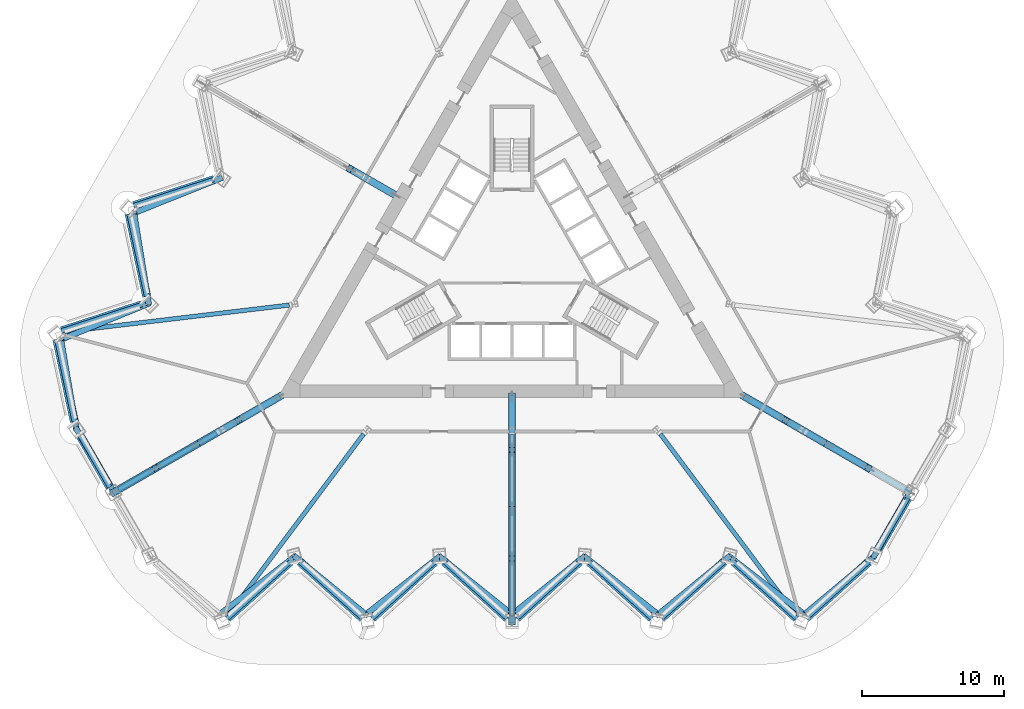
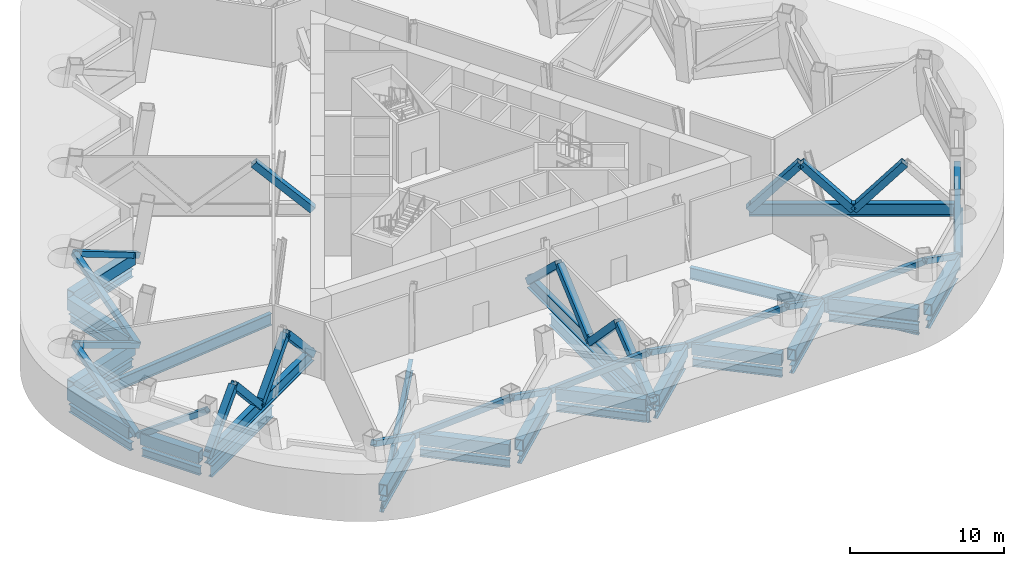
# One storey, part 2 of 13: 45 members, 20 beams.
"""IFC4 building model written with IfcOpenShell, lengths in metres."""

from ifc_helpers import new_model, si_unit, direction, frame, origin, origin_2d, place, context, subcontext, project, spatial, hollow_rectangle, i_section, extrude, material, material_profile, profile_set, type_object, element, save


model = new_model("IFC4")

# Units and contexts
model_context = context("Model", 3, precision=1e-05, world=origin(), true_north=direction((0.0, 1.0)))
body_context = subcontext(model_context, "Body", "Model", "MODEL_VIEW")
ifc_project = project(units=[si_unit("LENGTHUNIT", "METRE"), si_unit("AREAUNIT", "SQUARE_METRE"), si_unit("VOLUMEUNIT", "CUBIC_METRE"), si_unit("PLANEANGLEUNIT", "RADIAN"), si_unit("MASSUNIT", "GRAM", prefix="KILO")], contexts=[model_context])

# Site, building, storey
site_placement = place(None, origin())
site = spatial("IfcSite", under=ifc_project, at=site_placement, CompositionType="ELEMENT")
building_placement = place(site_placement, origin())
building = spatial("IfcBuilding", under=site, at=building_placement, Name="Cormorant Prow Tower", CompositionType="ELEMENT")
storey_placement = place(building_placement, frame((0.0, 0.0, 164.199951171875)))
storey = spatial("IfcBuildingStorey", under=building, at=storey_placement, Name="L34", CompositionType="ELEMENT", Elevation=164.199951171875)

# Members
ifc_material_1 = material(Name="Structural steel ASTM A572 Gr 50", Category="steel")
ifc_material_profile_1 = material_profile(ifc_material_1, hollow_rectangle(XDim=0.60009765625, YDim=0.89990234375, WallThickness=0.06005859375, at=origin_2d()), Name="Box 900x600x60")
ifc_profile_set_1 = profile_set([ifc_material_profile_1], Name="Structural steel ASTM A572 Gr 50")
member_type_1 = type_object("IfcMemberType", Name="Belt truss bottom chord 900x600x60", PredefinedType="CHORD", material=ifc_profile_set_1)
for number, where, z_axis, x_axis, name in (
    (1, (-20.0654296875, -25.09814453125, 0.449951171875), (0.743131253571, 0.66914567918, 0.0), (-0.66914567918, 0.743131253571, 0.0), "Belt truss bottom chord S01-S02 L34"),
    (2, (-14.96533203125, -21.108154296875, 0.449951171875), (0.743131253571, -0.66914567918, 0.0), (0.66914567918, 0.743131253571, 0.0), "Belt truss bottom chord S02-S03 L34"),
    (3, (-9.865478515625, -25.09814453125, 0.449951171875), (0.743131253571, 0.66914567918, 0.0), (-0.66914567918, 0.743131253571, 0.0), "Belt truss bottom chord S03-S04 L34"),
    (4, (-4.765625, -21.108154296875, 0.449951171875), (0.743131253571, -0.66914567918, 0.0), (0.66914567918, 0.743131253571, 0.0), "Belt truss bottom chord S04-S05 L34"),
    (5, (0.33447265625, -25.09814453125, 0.449951171875), (0.743131253571, 0.66914567918, 0.0), (-0.66914567918, 0.743131253571, 0.0), "Belt truss bottom chord S05-S06 L34"),
    (6, (5.434326171875, -21.108154296875, 0.449951171875), (0.743131253571, -0.66914567918, 0.0), (0.66914567918, 0.743131253571, 0.0), "Belt truss bottom chord S06-S07 L34"),
    (7, (10.5341796875, -25.09814453125, 0.449951171875), (0.743131253571, 0.66914567918, 0.0), (-0.66914567918, 0.743131253571, 0.0), "Belt truss bottom chord S07-S08 L34"),
    (8, (15.63427734375, -21.108154296875, 0.449951171875), (0.743131253571, -0.66914567918, 0.0), (0.66914567918, 0.743131253571, 0.0), "Belt truss bottom chord S08-S09 L34"),
    (9, (20.734130859375, -25.09814453125, 0.449951171875), (0.743131253571, 0.66914567918, 0.0), (-0.66914567918, 0.743131253571, 0.0), "Belt truss bottom chord S09-ESE00 L34"),
):
    element("IfcMember", number, at=place(storey_placement, frame(where, z_axis=z_axis, x_axis=x_axis)), inside=storey, type_object=member_type_1, Name=name, PredefinedType="CHORD", context=body_context, shape_type="SweptSolid", body=[
        extrude(hollow_rectangle(XDim=0.60009765625, YDim=0.89990234375, WallThickness=0.06005859375, at=origin_2d()), origin(), (0.0, 0.0, 1.0), 5.962890625),
    ])
member_1_placement = place(storey_placement, frame((25.724609375, -20.41748046875, 0.449951171875), z_axis=(0.500002967982, 0.866023690213, 0.0), x_axis=(-0.866023690213, 0.500002967982, 0.0)))
element("IfcMember", 10, at=member_1_placement, inside=storey, type_object=member_type_1, Name="Belt truss bottom chord ESE00-ESE01 L34", PredefinedType="CHORD", context=body_context, shape_type="SweptSolid", body=[
    extrude(hollow_rectangle(XDim=0.60009765625, YDim=0.89990234375, WallThickness=0.06005859375, at=origin_2d()), origin(), (0.0, 0.0, 1.0), 4.36962890625),
])
member_2_placement = place(storey_placement, frame((-20.99755859375, 5.847900390625, 0.449951171875), z_axis=(-0.951055430656, -0.309020335608, 0.0), x_axis=(0.309020335608, -0.951055430656, 0.0)))
element("IfcMember", 11, at=member_2_placement, inside=storey, type_object=member_type_1, Name="Belt truss bottom chord WNW06-WNW07 L34", PredefinedType="CHORD", context=body_context, shape_type="SweptSolid", body=[
    extrude(hollow_rectangle(XDim=0.60009765625, YDim=0.89990234375, WallThickness=0.06005859375, at=origin_2d()), origin(), (0.0, 0.0, 1.0), 5.96240234375),
])
for number, where, z_axis, x_axis, name in (
    (12, (-27.002685546875, 3.426025390625, 0.449951171875), (0.207920947907, -0.978145633033, 0.0), (0.978145633033, 0.207920947907, 0.0), "Belt truss bottom chord WNW07-WNW08 L34"),
    (13, (-26.097412109375, -2.985595703125, 0.449951171875), (-0.951059340519, -0.309008302174, 0.0), (0.309008302174, -0.951059340519, 0.0), "Belt truss bottom chord WNW08-WNW09 L34"),
):
    element("IfcMember", number, at=place(storey_placement, frame(where, z_axis=z_axis, x_axis=x_axis)), inside=storey, type_object=member_type_1, Name=name, PredefinedType="CHORD", context=body_context, shape_type="SweptSolid", body=[
        extrude(hollow_rectangle(XDim=0.60009765625, YDim=0.89990234375, WallThickness=0.06005859375, at=origin_2d()), origin(), (0.0, 0.0, 1.0), 5.962646484375),
    ])
member_3_placement = place(storey_placement, frame((-32.1025390625, -5.4072265625, 0.449951171875), z_axis=(0.207912620873, -0.978147403044, 0.0), x_axis=(0.978147403044, 0.207912620873, 0.0)))
element("IfcMember", 14, at=member_3_placement, inside=storey, type_object=member_type_1, Name="Belt truss bottom chord WNW09-WSW00 L34", PredefinedType="CHORD", context=body_context, shape_type="SweptSolid", body=[
    extrude(hollow_rectangle(XDim=0.60009765625, YDim=0.89990234375, WallThickness=0.06005859375, at=origin_2d()), origin(), (0.0, 0.0, 1.0), 5.962890625),
])
member_4_placement = place(storey_placement, frame((-30.54443359375, -12.069580078125, 0.449951171875), z_axis=(0.500002967982, -0.866023690213, 0.0), x_axis=(0.866023690213, 0.500002967982, 0.0)))
element("IfcMember", 15, at=member_4_placement, inside=storey, type_object=member_type_1, Name="Belt truss bottom chord WSW00-WSW01 L34", PredefinedType="CHORD", context=body_context, shape_type="SweptSolid", body=[
    extrude(hollow_rectangle(XDim=0.60009765625, YDim=0.89990234375, WallThickness=0.06005859375, at=origin_2d()), origin(), (0.0, 0.0, 1.0), 4.36962890625),
])
ifc_material_2 = material(Name="Structural steel ASTM A500 Gr C", Category="steel")
ifc_material_profile_2 = material_profile(ifc_material_2, hollow_rectangle(XDim=0.406494140625, YDim=0.406494140625, WallThickness=0.014892578125, at=origin_2d()), Name="HSS16x16x5/8")
ifc_profile_set_2 = profile_set([ifc_material_profile_2], Name="Structural steel ASTM A500 Gr C")
member_type_2 = type_object("IfcMemberType", Name="Belt truss diagonal HSS16x16x5/8", PredefinedType="BRACE", material=ifc_profile_set_2)
member_5_placement = place(storey_placement, frame((-15.3173828125, -20.740966796875, 0.449951171875), z_axis=(-0.690746440665, -0.532926995011, 0.488731186541), x_axis=(0.610850488309, -0.79174596995, 0.0)))
element("IfcMember", 16, at=member_5_placement, inside=storey, type_object=member_type_2, Name="Belt truss diagonal S01-S02 L34", PredefinedType="BRACE", context=body_context, shape_type="SweptSolid", body=[
    extrude(hollow_rectangle(XDim=0.406494140625, YDim=0.406494140625, WallThickness=0.014892578125, at=origin_2d()), origin(), (0.0, 0.0, 1.0), 7.6728515625),
])
member_6_placement = place(storey_placement, frame((-5.105712890625, -20.740966796875, 0.449951171875), z_axis=(-0.684037341224, -0.537606936707, 0.493023019154), x_axis=(0.617927454809, -0.786235117884, 0.0)))
element("IfcMember", 17, at=member_6_placement, inside=storey, type_object=member_type_2, Name="Belt truss diagonal S03-S04 L34", PredefinedType="BRACE", context=body_context, shape_type="SweptSolid", body=[
    extrude(hollow_rectangle(XDim=0.406494140625, YDim=0.406494140625, WallThickness=0.014892578125, at=origin_2d()), origin(), (0.0, 0.0, 1.0), 7.606201171875),
])
member_7_placement = place(storey_placement, frame((5.105712890625, -20.740966796875, 0.449951171875), z_axis=(-0.67715003888, -0.54232228763, 0.497347324497), x_axis=(0.625118250043, -0.780530059295, 0.0)))
element("IfcMember", 18, at=member_7_placement, inside=storey, type_object=member_type_2, Name="Belt truss diagonal S05-S06 L34", PredefinedType="BRACE", context=body_context, shape_type="SweptSolid", body=[
    extrude(hollow_rectangle(XDim=0.406494140625, YDim=0.406494140625, WallThickness=0.014892578125, at=origin_2d()), origin(), (0.0, 0.0, 1.0), 7.5400390625),
])
member_8_placement = place(storey_placement, frame((15.3173828125, -20.740966796875, 0.449951171875), z_axis=(-0.670098054079, -0.547059480784, 0.501691660687), x_axis=(0.632404696926, -0.774638173153, 0.0)))
element("IfcMember", 19, at=member_8_placement, inside=storey, type_object=member_type_2, Name="Belt truss diagonal S07-S08 L34", PredefinedType="BRACE", context=body_context, shape_type="SweptSolid", body=[
    extrude(hollow_rectangle(XDim=0.406494140625, YDim=0.406494140625, WallThickness=0.014892578125, at=origin_2d()), origin(), (0.0, 0.0, 1.0), 7.474609375),
])
member_9_placement = place(storey_placement, frame((25.52880859375, -20.740966796875, 0.449951171875), z_axis=(-0.662822889825, -0.551852690843, 0.506087368281), x_axis=(0.639842398585, -0.768506151552, 0.0)))
element("IfcMember", 20, at=member_9_placement, inside=storey, type_object=member_type_2, Name="Belt truss diagonal S09-ESE00 L34", PredefinedType="BRACE", context=body_context, shape_type="SweptSolid", body=[
    extrude(hollow_rectangle(XDim=0.406494140625, YDim=0.406494140625, WallThickness=0.014892578125, at=origin_2d()), origin(), (0.0, 0.0, 1.0), 7.40966796875),
])
member_10_placement = place(storey_placement, frame((-25.620849609375, -2.894775390625, 0.449951171875), z_axis=(-0.138719868641, 0.85384414555, 0.501704069303), x_axis=(-0.987058188962, -0.160362500613, 0.0)))
element("IfcMember", 21, at=member_10_placement, inside=storey, type_object=member_type_2, Name="Belt truss diagonal WNW07-WNW08 L34", PredefinedType="BRACE", context=body_context, shape_type="SweptSolid", body=[
    extrude(hollow_rectangle(XDim=0.406494140625, YDim=0.406494140625, WallThickness=0.014892578125, at=origin_2d()), origin(), (0.0, 0.0, 1.0), 7.474609375),
])
member_11_placement = place(storey_placement, frame((-30.7265625, -11.73828125, 0.449951171875), z_axis=(-0.14648622984, 0.849956201348, 0.50607928258), x_axis=(-0.985471362149, -0.169841674463, 0.0)))
element("IfcMember", 22, at=member_11_placement, inside=storey, type_object=member_type_2, Name="Belt truss diagonal WNW09-WSW00 L34", PredefinedType="BRACE", context=body_context, shape_type="SweptSolid", body=[
    extrude(hollow_rectangle(XDim=0.406494140625, YDim=0.406494140625, WallThickness=0.014892578125, at=origin_2d()), origin(), (0.0, 0.0, 1.0), 7.409912109375),
])
ifc_material_3 = material(Name="Structural steel ASTM A500 Gr C", Category="steel")
ifc_material_profile_3 = material_profile(ifc_material_3, hollow_rectangle(XDim=0.406494140625, YDim=0.406494140625, WallThickness=0.014892578125, at=origin_2d()), Name="HSS16x16x5/8")
ifc_profile_set_3 = profile_set([ifc_material_profile_3], Name="Structural steel ASTM A500 Gr C")
member_type_3 = type_object("IfcMemberType", Name="Belt truss strut HSS16x16x5/8", PredefinedType="STRUT", material=ifc_profile_set_3)
member_12_placement = place(storey_placement, frame((-15.3173828125, -20.740966796875, 0.449951171875), z_axis=(0.670098054079, -0.547059480784, 0.501691660687), x_axis=(0.632404696926, 0.774638173153, 0.0)))
element("IfcMember", 23, at=member_12_placement, inside=storey, type_object=member_type_3, Name="Belt truss strut S02-S03 L34", PredefinedType="STRUT", context=body_context, shape_type="SweptSolid", body=[
    extrude(hollow_rectangle(XDim=0.406494140625, YDim=0.406494140625, WallThickness=0.014892578125, at=origin_2d()), origin(), (0.0, 0.0, 1.0), 7.474609375),
])
member_13_placement = place(storey_placement, frame((-5.105712890625, -20.740966796875, 0.449951171875), z_axis=(0.67715003888, -0.54232228763, 0.497347324497), x_axis=(0.625118250043, 0.780530059295, 0.0)))
element("IfcMember", 24, at=member_13_placement, inside=storey, type_object=member_type_3, Name="Belt truss strut S04-S05 L34", PredefinedType="STRUT", context=body_context, shape_type="SweptSolid", body=[
    extrude(hollow_rectangle(XDim=0.406494140625, YDim=0.406494140625, WallThickness=0.014892578125, at=origin_2d()), origin(), (0.0, 0.0, 1.0), 7.5400390625),
])
member_14_placement = place(storey_placement, frame((5.105712890625, -20.740966796875, 0.449951171875), z_axis=(0.684037341224, -0.537606936707, 0.493023019154), x_axis=(0.617927454809, 0.786235117884, 0.0)))
element("IfcMember", 25, at=member_14_placement, inside=storey, type_object=member_type_3, Name="Belt truss strut S06-S07 L34", PredefinedType="STRUT", context=body_context, shape_type="SweptSolid", body=[
    extrude(hollow_rectangle(XDim=0.406494140625, YDim=0.406494140625, WallThickness=0.014892578125, at=origin_2d()), origin(), (0.0, 0.0, 1.0), 7.606201171875),
])
member_15_placement = place(storey_placement, frame((15.3173828125, -20.740966796875, 0.449951171875), z_axis=(0.690746440665, -0.532926995011, 0.488731186541), x_axis=(0.610850488309, 0.79174596995, 0.0)))
element("IfcMember", 26, at=member_15_placement, inside=storey, type_object=member_type_3, Name="Belt truss strut S08-S09 L34", PredefinedType="STRUT", context=body_context, shape_type="SweptSolid", body=[
    extrude(hollow_rectangle(XDim=0.406494140625, YDim=0.406494140625, WallThickness=0.014892578125, at=origin_2d()), origin(), (0.0, 0.0, 1.0), 7.6728515625),
])
member_16_placement = place(storey_placement, frame((25.52880859375, -20.740966796875, 0.449951171875), z_axis=(0.396591210918, 0.707404146098, 0.585059642691), x_axis=(-0.872272053279, 0.489020924981, 0.0)))
element("IfcMember", 27, at=member_16_placement, inside=storey, type_object=member_type_3, Name="Belt truss strut ESE00-ESE01 L34", PredefinedType="STRUT", context=body_context, shape_type="SweptSolid", body=[
    extrude(hollow_rectangle(XDim=0.406494140625, YDim=0.406494140625, WallThickness=0.014892578125, at=origin_2d()), origin(), (0.0, 0.0, 1.0), 6.40966796875),
])
member_17_placement = place(storey_placement, frame((-20.51513671875, 5.94873046875, 0.449951171875), z_axis=(-0.807588382557, -0.323613118956, 0.493026929892), x_axis=(0.371963095454, -0.92824751851, 0.0)))
element("IfcMember", 28, at=member_17_placement, inside=storey, type_object=member_type_3, Name="Belt truss strut WNW06-WNW07 L34", PredefinedType="STRUT", context=body_context, shape_type="SweptSolid", body=[
    extrude(hollow_rectangle(XDim=0.406494140625, YDim=0.406494140625, WallThickness=0.014892578125, at=origin_2d()), origin(), (0.0, 0.0, 1.0), 7.60595703125),
])
member_18_placement = place(storey_placement, frame((-25.620849609375, -2.894775390625, 0.449951171875), z_axis=(-0.806895712397, -0.33174394485, 0.488738441674), x_axis=(0.380252636196, -0.924882658863, 0.0)))
element("IfcMember", 29, at=member_18_placement, inside=storey, type_object=member_type_3, Name="Belt truss strut WNW08-WNW09 L34", PredefinedType="STRUT", context=body_context, shape_type="SweptSolid", body=[
    extrude(hollow_rectangle(XDim=0.406494140625, YDim=0.406494140625, WallThickness=0.014892578125, at=origin_2d()), origin(), (0.0, 0.0, 1.0), 7.6728515625),
])
member_19_placement = place(storey_placement, frame((-30.7265625, -11.73828125, 0.449951171875), z_axis=(0.41434053676, -0.697157091774, 0.585058893605), x_axis=(0.859636243358, 0.510906575712, 0.0)))
element("IfcMember", 30, at=member_19_placement, inside=storey, type_object=member_type_3, Name="Belt truss strut WSW00-WSW01 L34", PredefinedType="STRUT", context=body_context, shape_type="SweptSolid", body=[
    extrude(hollow_rectangle(XDim=0.406494140625, YDim=0.406494140625, WallThickness=0.014892578125, at=origin_2d()), origin(), (0.0, 0.0, 1.0), 6.40966796875),
])
ifc_material_4 = material(Name="Structural steel ASTM A992 Gr 50", Category="steel")
ifc_material_profile_4 = material_profile(ifc_material_4, i_section(OverallWidth=0.39990234375, OverallDepth=1.000244140625, WebThickness=0.01904296875, FlangeThickness=0.0361328125, at=origin_2d()), Name="W40x249")
ifc_profile_set_4 = profile_set([ifc_material_profile_4], Name="Structural steel ASTM A992 Gr 50")
member_type_4 = type_object("IfcMemberType", Name="Outrigger chord W40x249", PredefinedType="CHORD", material=ifc_profile_set_4)
member_20_placement = place(storey_placement, frame((-16.3701171875, -9.451171875, 0.500244140625), z_axis=(-0.866023671636, -0.500003000157, 0.0), x_axis=(0.500003000157, -0.866023671636, 0.0)))
element("IfcMember", 31, at=member_20_placement, inside=storey, type_object=member_type_4, Name="Outrigger bottom chord 3 L34", PredefinedType="CHORD", context=body_context, shape_type="SweptSolid", body=[
    extrude(i_section(OverallWidth=0.39990234375, OverallDepth=1.000244140625, WebThickness=0.01904296875, FlangeThickness=0.0361328125, at=origin_2d()), origin(), (0.0, 0.0, 1.0), 13.58447265625),
])
member_21_placement = place(storey_placement, frame((0.0, -9.376220703125, 0.500244140625), z_axis=(0.0, -1.0, 0.0), x_axis=(1.0, 0.0, 0.0)))
element("IfcMember", 32, at=member_21_placement, inside=storey, type_object=member_type_4, Name="Outrigger bottom chord 4 L34", PredefinedType="CHORD", context=body_context, shape_type="SweptSolid", body=[
    extrude(i_section(OverallWidth=0.39990234375, OverallDepth=1.000244140625, WebThickness=0.01904296875, FlangeThickness=0.0361328125, at=origin_2d()), origin(), (0.0, 0.0, 1.0), 16.02294921875),
])
member_22_placement = place(storey_placement, frame((16.3701171875, -9.451171875, 0.500244140625), z_axis=(0.866023671636, -0.500003000157, 0.0), x_axis=(0.500003000157, 0.866023671636, 0.0)))
element("IfcMember", 33, at=member_22_placement, inside=storey, type_object=member_type_4, Name="Outrigger bottom chord 5 L34", PredefinedType="CHORD", context=body_context, shape_type="SweptSolid", body=[
    extrude(i_section(OverallWidth=0.39990234375, OverallDepth=1.000244140625, WebThickness=0.01904296875, FlangeThickness=0.0361328125, at=origin_2d()), origin(), (0.0, 0.0, 1.0), 13.58447265625),
])
ifc_material_5 = material(Name="Structural steel ASTM A500 Gr C", Category="steel")
ifc_material_profile_5 = material_profile(ifc_material_5, hollow_rectangle(XDim=0.508056640625, YDim=0.508056640625, WallThickness=0.014892578125, at=origin_2d()), Name="HSS20x20x5/8")
ifc_profile_set_5 = profile_set([ifc_material_profile_5], Name="Structural steel ASTM A500 Gr C")
member_type_5 = type_object("IfcMemberType", Name="Outrigger diagonal HSS20x20x5/8", PredefinedType="BRACE", material=ifc_profile_set_5)
member_23_placement = place(storey_placement, frame((-8.1201171875, 4.688232421875, 0.500244140625), z_axis=(-0.627445310409, 0.362228862329, 0.689276891924), x_axis=(-0.499972197867, -0.866041454758, 0.0)))
element("IfcMember", 34, at=member_23_placement, inside=storey, type_object=member_type_5, Name="Outrigger diagonal 2.1 L34", PredefinedType="BRACE", context=body_context, shape_type="SweptSolid", body=[
    extrude(hollow_rectangle(XDim=0.508056640625, YDim=0.508056640625, WallThickness=0.014892578125, at=origin_2d()), origin(), (0.0, 0.0, 1.0), 5.294921875),
])
member_24_placement = place(storey_placement, frame((-16.3701171875, -9.451171875, 0.500244140625), z_axis=(-0.587895399175, -0.33945568583, 0.734267551364), x_axis=(0.500037693806, -0.866003640162, 0.0)))
element("IfcMember", 35, at=member_24_placement, inside=storey, type_object=member_type_5, Name="Outrigger diagonal 3.1 L34", PredefinedType="BRACE", context=body_context, shape_type="SweptSolid", body=[
    extrude(hollow_rectangle(XDim=0.508056640625, YDim=0.508056640625, WallThickness=0.014892578125, at=origin_2d()), origin(), (0.0, 0.0, 1.0), 4.970458984375),
])
member_25_placement = place(storey_placement, frame((-22.252197265625, -12.847412109375, 0.500244140625), z_axis=(-0.583791185673, -0.337032558398, 0.738645318208), x_axis=(0.499978371044, -0.866037890908, 0.0)))
element("IfcMember", 36, at=member_25_placement, inside=storey, type_object=member_type_5, Name="Outrigger diagonal 3.3 L34", PredefinedType="BRACE", context=body_context, shape_type="SweptSolid", body=[
    extrude(hollow_rectangle(XDim=0.508056640625, YDim=0.508056640625, WallThickness=0.014892578125, at=origin_2d()), origin(), (0.0, 0.0, 1.0), 4.94091796875),
])
member_26_placement = place(storey_placement, frame((0.0, -9.376220703125, 0.500244140625), z_axis=(0.0, -0.724522681449, 0.689250958698), x_axis=(1.0, 0.0, 0.0)))
element("IfcMember", 37, at=member_26_placement, inside=storey, type_object=member_type_5, Name="Outrigger diagonal 4.1 L34", PredefinedType="BRACE", context=body_context, shape_type="SweptSolid", body=[
    extrude(hollow_rectangle(XDim=0.508056640625, YDim=0.508056640625, WallThickness=0.014892578125, at=origin_2d()), origin(), (0.0, 0.0, 1.0), 5.295166015625),
])
member_27_placement = place(storey_placement, frame((0.0, -17.3876953125, 0.500244140625), z_axis=(0.0, -0.691902216278, 0.721991220937), x_axis=(1.0, 0.0, 0.0)))
element("IfcMember", 38, at=member_27_placement, inside=storey, type_object=member_type_5, Name="Outrigger diagonal 4.3 L34", PredefinedType="BRACE", context=body_context, shape_type="SweptSolid", body=[
    extrude(hollow_rectangle(XDim=0.508056640625, YDim=0.508056640625, WallThickness=0.014892578125, at=origin_2d()), origin(), (0.0, 0.0, 1.0), 5.054931640625),
])
member_28_placement = place(storey_placement, frame((16.3701171875, -9.451171875, 0.500244140625), z_axis=(0.587895399175, -0.33945568583, 0.734267551364), x_axis=(0.500037693806, 0.866003640162, 0.0)))
element("IfcMember", 39, at=member_28_placement, inside=storey, type_object=member_type_5, Name="Outrigger diagonal 5.1 L34", PredefinedType="BRACE", context=body_context, shape_type="SweptSolid", body=[
    extrude(hollow_rectangle(XDim=0.508056640625, YDim=0.508056640625, WallThickness=0.014892578125, at=origin_2d()), origin(), (0.0, 0.0, 1.0), 4.970458984375),
])
member_29_placement = place(storey_placement, frame((22.252197265625, -12.847412109375, 0.500244140625), z_axis=(0.583791185673, -0.337032558398, 0.738645318208), x_axis=(0.499978371044, 0.866037890908, 0.0)))
element("IfcMember", 40, at=member_29_placement, inside=storey, type_object=member_type_5, Name="Outrigger diagonal 5.3 L34", PredefinedType="BRACE", context=body_context, shape_type="SweptSolid", body=[
    extrude(hollow_rectangle(XDim=0.508056640625, YDim=0.508056640625, WallThickness=0.014892578125, at=origin_2d()), origin(), (0.0, 0.0, 1.0), 4.94091796875),
])
ifc_material_6 = material(Name="Structural steel ASTM A500 Gr C", Category="steel")
ifc_material_profile_6 = material_profile(ifc_material_6, hollow_rectangle(XDim=0.508056640625, YDim=0.508056640625, WallThickness=0.014892578125, at=origin_2d()), Name="HSS20x20x5/8")
ifc_profile_set_6 = profile_set([ifc_material_profile_6], Name="Structural steel ASTM A500 Gr C")
member_type_6 = type_object("IfcMemberType", Name="Outrigger strut HSS20x20x5/8", PredefinedType="STRUT", material=ifc_profile_set_6)
member_30_placement = place(storey_placement, frame((-19.292236328125, -11.138427734375, 4.14990234375), z_axis=(-0.591968493309, -0.341783194751, -0.729902425476), x_axis=(0.500011000363, -0.866019052629, 0.0)))
element("IfcMember", 41, at=member_30_placement, inside=storey, type_object=member_type_6, Name="Outrigger strut 3.2 L34", PredefinedType="STRUT", context=body_context, shape_type="SweptSolid", body=[
    extrude(hollow_rectangle(XDim=0.508056640625, YDim=0.508056640625, WallThickness=0.014892578125, at=origin_2d()), origin(), (0.0, 0.0, 1.0), 5.000244140625),
])
member_31_placement = place(storey_placement, frame((-25.13671875, -14.5126953125, 4.14990234375), z_axis=(-0.595969406709, -0.34406931543, -0.725559627079), x_axis=(0.499984979461, -0.866034075723, 0.0)))
element("IfcMember", 42, at=member_31_placement, inside=storey, type_object=member_type_6, Name="Outrigger strut 3.4 L34", PredefinedType="STRUT", context=body_context, shape_type="SweptSolid", body=[
    extrude(hollow_rectangle(XDim=0.508056640625, YDim=0.508056640625, WallThickness=0.014892578125, at=origin_2d()), origin(), (0.0, 0.0, 1.0), 5.030029296875),
])
member_32_placement = place(storey_placement, frame((0.0, -13.212646484375, 4.14990234375), z_axis=(0.0, -0.75289024657, -0.658146090636), x_axis=(1.0, 0.0, 0.0)))
element("IfcMember", 43, at=member_32_placement, inside=storey, type_object=member_type_6, Name="Outrigger strut 4.2 L34", PredefinedType="STRUT", context=body_context, shape_type="SweptSolid", body=[
    extrude(hollow_rectangle(XDim=0.508056640625, YDim=0.508056640625, WallThickness=0.014892578125, at=origin_2d()), origin(), (0.0, 0.0, 1.0), 5.54541015625),
])
member_33_placement = place(storey_placement, frame((0.0, -20.88525390625, 4.14990234375), z_axis=(0.0, -0.77762083914, -0.628733513132), x_axis=(1.0, 0.0, 0.0)))
element("IfcMember", 44, at=member_33_placement, inside=storey, type_object=member_type_6, Name="Outrigger strut 4.4 L34", PredefinedType="STRUT", context=body_context, shape_type="SweptSolid", body=[
    extrude(hollow_rectangle(XDim=0.508056640625, YDim=0.508056640625, WallThickness=0.014892578125, at=origin_2d()), origin(), (0.0, 0.0, 1.0), 5.8046875),
])
member_34_placement = place(storey_placement, frame((19.292236328125, -11.138427734375, 4.14990234375), z_axis=(0.591968493309, -0.341783194751, -0.729902425476), x_axis=(0.500011000363, 0.866019052629, 0.0)))
element("IfcMember", 45, at=member_34_placement, inside=storey, type_object=member_type_6, Name="Outrigger strut 5.2 L34", PredefinedType="STRUT", context=body_context, shape_type="SweptSolid", body=[
    extrude(hollow_rectangle(XDim=0.508056640625, YDim=0.508056640625, WallThickness=0.014892578125, at=origin_2d()), origin(), (0.0, 0.0, 1.0), 5.000244140625),
])

# Beams
ifc_material_7 = material(Name="Structural steel ASTM A992 Gr 50", Category="steel")
ifc_material_profile_7 = material_profile(ifc_material_7, i_section(OverallWidth=0.3046875, OverallDepth=0.914794921875, WebThickness=0.0166015625, FlangeThickness=0.02587890625, at=origin_2d()), Name="W36x160")
ifc_profile_set_7 = profile_set([ifc_material_profile_7], Name="Structural steel ASTM A992 Gr 50")
beam_type_1 = type_object("IfcBeamType", Name="Radial floor beam W36x160", PredefinedType="BEAM", material=ifc_profile_set_7)
beam_1_placement = place(storey_placement, frame((-15.70849609375, -3.00732421875, -0.857421875), z_axis=(-0.993009167646, -0.118037252474, 0.0), x_axis=(0.118037252474, -0.993009167646, 0.0)))
element("IfcBeam", 46, at=beam_1_placement, inside=storey, type_object=beam_type_1, Name="Radial floor beam FB1 4 L34", PredefinedType="BEAM", context=body_context, shape_type="SweptSolid", body=[
    extrude(i_section(OverallWidth=0.3046875, OverallDepth=0.914794921875, WebThickness=0.0166015625, FlangeThickness=0.02587890625, at=origin_2d()), origin(), (0.0, 0.0, 1.0), 16.15380859375),
])
beam_2_placement = place(storey_placement, frame((-20.84521484375, -12.034912109375, -0.857421875), z_axis=(-0.866018715534, -0.50001158421, 0.0), x_axis=(0.50001158421, -0.866018715534, 0.0)))
element("IfcBeam", 47, at=beam_2_placement, inside=storey, type_object=beam_type_1, Name="Radial floor beam FB1 5 L34", PredefinedType="BEAM", context=body_context, shape_type="SweptSolid", body=[
    extrude(i_section(OverallWidth=0.3046875, OverallDepth=0.914794921875, WebThickness=0.0166015625, FlangeThickness=0.02587890625, at=origin_2d()), origin(), (0.0, 0.0, 1.0), 7.967041015625),
])
beam_3_placement = place(storey_placement, frame((-10.458740234375, -12.100341796875, -0.857421875), z_axis=(-0.598722444929, -0.800956574315, 0.0), x_axis=(0.800956574315, -0.598722444929, 0.0)))
element("IfcBeam", 48, at=beam_3_placement, inside=storey, type_object=beam_type_1, Name="Radial floor beam FB1 6 L34", PredefinedType="BEAM", context=body_context, shape_type="SweptSolid", body=[
    extrude(i_section(OverallWidth=0.3046875, OverallDepth=0.914794921875, WebThickness=0.0166015625, FlangeThickness=0.02587890625, at=origin_2d()), origin(), (0.0, 0.0, 1.0), 16.15380859375),
])
beam_4_placement = place(storey_placement, frame((0.0, -12.143798828125, -0.857421875), z_axis=(0.0, -1.0, 0.0), x_axis=(1.0, 0.0, 0.0)))
element("IfcBeam", 49, at=beam_4_placement, inside=storey, type_object=beam_type_1, Name="Radial floor beam FB1 7 L34", PredefinedType="BEAM", context=body_context, shape_type="SweptSolid", body=[
    extrude(i_section(OverallWidth=0.3046875, OverallDepth=0.914794921875, WebThickness=0.0166015625, FlangeThickness=0.02587890625, at=origin_2d()), origin(), (0.0, 0.0, 1.0), 12.805419921875),
])
beam_5_placement = place(storey_placement, frame((10.458740234375, -12.100341796875, -0.857421875), z_axis=(0.598722444929, -0.800956574315, 0.0), x_axis=(0.800956574315, 0.598722444929, 0.0)))
element("IfcBeam", 50, at=beam_5_placement, inside=storey, type_object=beam_type_1, Name="Radial floor beam FB1 8 L34", PredefinedType="BEAM", context=body_context, shape_type="SweptSolid", body=[
    extrude(i_section(OverallWidth=0.3046875, OverallDepth=0.914794921875, WebThickness=0.0166015625, FlangeThickness=0.02587890625, at=origin_2d()), origin(), (0.0, 0.0, 1.0), 16.15380859375),
])
ifc_material_8 = material(Name="Structural steel ASTM A992 Gr 50", Category="steel")
ifc_material_profile_8 = material_profile(ifc_material_8, i_section(OverallWidth=0.32373046875, OverallDepth=0.611083984375, WebThickness=0.0126953125, FlangeThickness=0.01904296875, at=origin_2d()), Name="W24x104")
ifc_profile_set_8 = profile_set([ifc_material_profile_8], Name="Structural steel ASTM A992 Gr 50")
beam_type_2 = type_object("IfcBeamType", Name="Spandrel beam W24x104", PredefinedType="SPANDREL", material=ifc_profile_set_8)
for number, where, z_axis, x_axis, name in (
    (51, (-20.0654296875, -25.09814453125, -0.70556640625), (0.743131253571, 0.66914567918, 0.0), (-0.66914567918, 0.743131253571, 0.0), "Spandrel beam SB1 S01-S02 L34"),
    (52, (-14.96533203125, -21.108154296875, -0.70556640625), (0.743131253571, -0.66914567918, 0.0), (0.66914567918, 0.743131253571, 0.0), "Spandrel beam SB1 S02-S03 L34"),
    (53, (-9.865478515625, -25.09814453125, -0.70556640625), (0.743131253571, 0.66914567918, 0.0), (-0.66914567918, 0.743131253571, 0.0), "Spandrel beam SB1 S03-S04 L34"),
    (54, (-4.765625, -21.108154296875, -0.70556640625), (0.743131253571, -0.66914567918, 0.0), (0.66914567918, 0.743131253571, 0.0), "Spandrel beam SB1 S04-S05 L34"),
    (55, (0.33447265625, -25.09814453125, -0.70556640625), (0.743131253571, 0.66914567918, 0.0), (-0.66914567918, 0.743131253571, 0.0), "Spandrel beam SB1 S05-S06 L34"),
    (56, (5.434326171875, -21.108154296875, -0.70556640625), (0.743131253571, -0.66914567918, 0.0), (0.66914567918, 0.743131253571, 0.0), "Spandrel beam SB1 S06-S07 L34"),
    (57, (10.5341796875, -25.09814453125, -0.70556640625), (0.743131253571, 0.66914567918, 0.0), (-0.66914567918, 0.743131253571, 0.0), "Spandrel beam SB1 S07-S08 L34"),
    (58, (15.63427734375, -21.108154296875, -0.70556640625), (0.743131253571, -0.66914567918, 0.0), (0.66914567918, 0.743131253571, 0.0), "Spandrel beam SB1 S08-S09 L34"),
    (59, (20.734130859375, -25.09814453125, -0.70556640625), (0.743131253571, 0.66914567918, 0.0), (-0.66914567918, 0.743131253571, 0.0), "Spandrel beam SB1 S09-ESE00 L34"),
):
    element("IfcBeam", number, at=place(storey_placement, frame(where, z_axis=z_axis, x_axis=x_axis)), inside=storey, type_object=beam_type_2, Name=name, PredefinedType="SPANDREL", context=body_context, shape_type="SweptSolid", body=[
        extrude(i_section(OverallWidth=0.32373046875, OverallDepth=0.611083984375, WebThickness=0.0126953125, FlangeThickness=0.01904296875, at=origin_2d()), origin(), (0.0, 0.0, 1.0), 5.962890625),
    ])
beam_6_placement = place(storey_placement, frame((25.724609375, -20.41748046875, -0.70556640625), z_axis=(0.500002967982, 0.866023690213, 0.0), x_axis=(-0.866023690213, 0.500002967982, 0.0)))
element("IfcBeam", 60, at=beam_6_placement, inside=storey, type_object=beam_type_2, Name="Spandrel beam SB1 ESE00-ESE01 L34", PredefinedType="SPANDREL", context=body_context, shape_type="SweptSolid", body=[
    extrude(i_section(OverallWidth=0.32373046875, OverallDepth=0.611083984375, WebThickness=0.0126953125, FlangeThickness=0.01904296875, at=origin_2d()), origin(), (0.0, 0.0, 1.0), 4.36962890625),
])
beam_7_placement = place(storey_placement, frame((-20.99755859375, 5.847900390625, -0.70556640625), z_axis=(-0.951055430656, -0.309020335608, 0.0), x_axis=(0.309020335608, -0.951055430656, 0.0)))
element("IfcBeam", 61, at=beam_7_placement, inside=storey, type_object=beam_type_2, Name="Spandrel beam SB1 WNW06-WNW07 L34", PredefinedType="SPANDREL", context=body_context, shape_type="SweptSolid", body=[
    extrude(i_section(OverallWidth=0.32373046875, OverallDepth=0.611083984375, WebThickness=0.0126953125, FlangeThickness=0.01904296875, at=origin_2d()), origin(), (0.0, 0.0, 1.0), 5.96240234375),
])
for number, where, z_axis, x_axis, name in (
    (62, (-27.002685546875, 3.426025390625, -0.70556640625), (0.207920947907, -0.978145633033, 0.0), (0.978145633033, 0.207920947907, 0.0), "Spandrel beam SB1 WNW07-WNW08 L34"),
    (63, (-26.097412109375, -2.985595703125, -0.70556640625), (-0.951059340519, -0.309008302174, 0.0), (0.309008302174, -0.951059340519, 0.0), "Spandrel beam SB1 WNW08-WNW09 L34"),
):
    element("IfcBeam", number, at=place(storey_placement, frame(where, z_axis=z_axis, x_axis=x_axis)), inside=storey, type_object=beam_type_2, Name=name, PredefinedType="SPANDREL", context=body_context, shape_type="SweptSolid", body=[
        extrude(i_section(OverallWidth=0.32373046875, OverallDepth=0.611083984375, WebThickness=0.0126953125, FlangeThickness=0.01904296875, at=origin_2d()), origin(), (0.0, 0.0, 1.0), 5.962646484375),
    ])
beam_8_placement = place(storey_placement, frame((-32.1025390625, -5.4072265625, -0.70556640625), z_axis=(0.207912620873, -0.978147403044, 0.0), x_axis=(0.978147403044, 0.207912620873, 0.0)))
element("IfcBeam", 64, at=beam_8_placement, inside=storey, type_object=beam_type_2, Name="Spandrel beam SB1 WNW09-WSW00 L34", PredefinedType="SPANDREL", context=body_context, shape_type="SweptSolid", body=[
    extrude(i_section(OverallWidth=0.32373046875, OverallDepth=0.611083984375, WebThickness=0.0126953125, FlangeThickness=0.01904296875, at=origin_2d()), origin(), (0.0, 0.0, 1.0), 5.962890625),
])
beam_9_placement = place(storey_placement, frame((-30.54443359375, -12.069580078125, -0.70556640625), z_axis=(0.500002967982, -0.866023690213, 0.0), x_axis=(0.866023690213, 0.500002967982, 0.0)))
element("IfcBeam", 65, at=beam_9_placement, inside=storey, type_object=beam_type_2, Name="Spandrel beam SB1 WSW00-WSW01 L34", PredefinedType="SPANDREL", context=body_context, shape_type="SweptSolid", body=[
    extrude(i_section(OverallWidth=0.32373046875, OverallDepth=0.611083984375, WebThickness=0.0126953125, FlangeThickness=0.01904296875, at=origin_2d()), origin(), (0.0, 0.0, 1.0), 4.36962890625),
])

save(model, "model.ifc")
